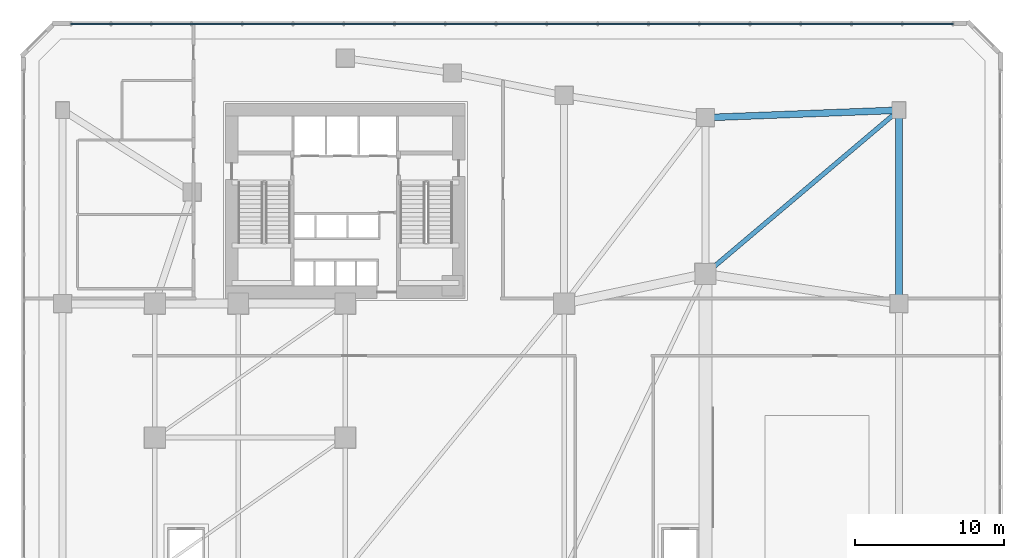
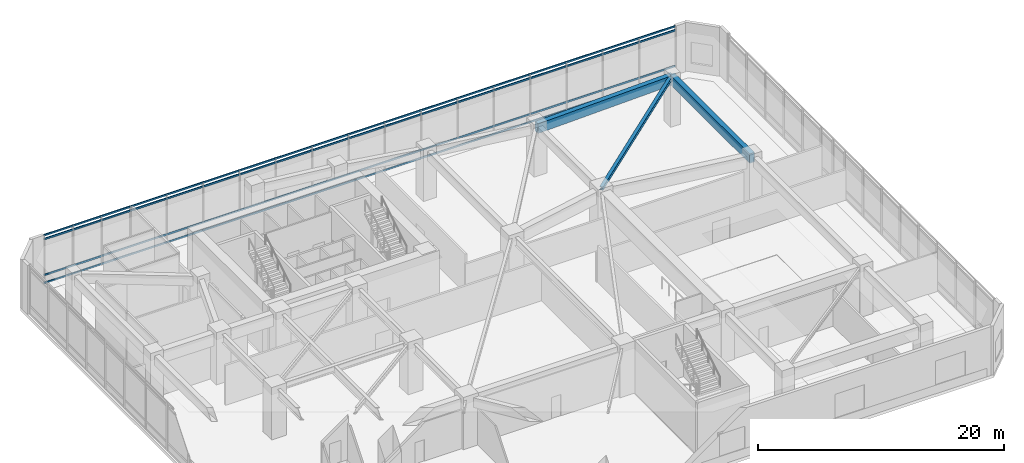
# One storey, part 6 of 15: 4 members, 3 beams, 1 element without a shape of its own.
"""IFC4 building model written with IfcOpenShell, lengths in metres."""

from ifc_helpers import new_model, si_unit, direction, frame, origin, origin_2d, place, context, subcontext, project, spatial, rectangle, i_section, extrude, source, transform, mapped, material, material_profile, profile_set, type_object, element, aggregate, save


model = new_model("IFC4")

# Units and contexts
model_context = context("Model", 3, precision=1e-05, world=origin(), true_north=direction((0.0, 1.0)))
body_context = subcontext(model_context, "Body", "Model", "MODEL_VIEW")
ifc_project = project(units=[si_unit("LENGTHUNIT", "METRE"), si_unit("AREAUNIT", "SQUARE_METRE"), si_unit("VOLUMEUNIT", "CUBIC_METRE"), si_unit("PLANEANGLEUNIT", "RADIAN"), si_unit("MASSUNIT", "GRAM", prefix="KILO")], contexts=[model_context])

# Site, building, storey
site_placement = place(None, origin())
site = spatial("IfcSite", under=ifc_project, at=site_placement, CompositionType="ELEMENT")
building_placement = place(site_placement, origin())
building = spatial("IfcBuilding", under=site, at=building_placement, Name="Calvemar Wedge Station Tower", CompositionType="ELEMENT")
storey_placement = place(building_placement, frame((0.0, 0.0, 16.39990234375)))
storey = spatial("IfcBuildingStorey", under=building, at=storey_placement, Name="L04", CompositionType="ELEMENT", Elevation=16.39990234375)

# Beams
ifc_material_1 = material(Name="Concrete C50", Category="concrete")
ifc_material_profile_1 = material_profile(ifc_material_1, rectangle(XDim=0.449951171875, YDim=0.949951171875, at=origin_2d()), Name="RC450x950")
ifc_profile_set_1 = profile_set([ifc_material_profile_1], Name="Concrete C50")
beam_type_1 = type_object("IfcBeamType", Name="BM-G2-950", PredefinedType="BEAM", material=ifc_profile_set_1)
shared_shape_1 = source(origin(), body_context, "Body", "SweptSolid", [
    extrude(rectangle(XDim=0.449951171875, YDim=0.949951171875, at=origin_2d()), origin(), (0.0, 0.0, 1.0), 13.0),
])
beam_1_placement = place(storey_placement, frame((61.0, 33.0, 4.375), z_axis=(0.0, 1.0, 0.0), x_axis=(-1.0, 0.0, 0.0)))
element("IfcBeam", 1, at=beam_1_placement, inside=storey, type_object=beam_type_1, Name="Storey L04 Primary Girder G37", PredefinedType="BEAM", context=body_context, shape_type="MappedRepresentation", body=[
    mapped(shared_shape_1, transform((0.0, 0.0, 0.0), scale=1.0)),
])
shared_shape_2 = source(origin(), body_context, "Body", "SweptSolid", [
    extrude(rectangle(XDim=0.449951171875, YDim=0.949951171875, at=origin_2d()), origin(), (0.0, 0.0, 1.0), 13.009521484375),
])
beam_2_placement = place(storey_placement, frame((48.0, 45.5, 4.375), z_axis=(0.999261174631, 0.038433122101, 0.0), x_axis=(-0.038433122101, 0.999261174631, 0.0)))
element("IfcBeam", 2, at=beam_2_placement, inside=storey, type_object=beam_type_1, Name="Storey L04 Primary Girder G42", PredefinedType="BEAM", context=body_context, shape_type="MappedRepresentation", body=[
    mapped(shared_shape_2, transform((0.0, 0.0, 0.0), scale=1.0)),
])
ifc_material_2 = material(Name="Structural steel ASTM A572 Grade 50", Category="steel")
ifc_material_profile_2 = material_profile(ifc_material_2, i_section(OverallWidth=0.30908203125, OverallDepth=0.322998046875, WebThickness=0.013916015625, FlangeThickness=0.02294921875, FilletRadius=0.014892578125, at=origin_2d()), Name="W310x143")
ifc_profile_set_2 = profile_set([ifc_material_profile_2], Name="Structural steel ASTM A572 Grade 50")
beam_type_2 = type_object("IfcBeamType", Name="BM-J5-W310H", PredefinedType="JOIST", material=ifc_profile_set_2)
shared_shape_3 = source(origin(), body_context, "Body", "SweptSolid", [
    extrude(i_section(OverallWidth=0.30908203125, OverallDepth=0.322998046875, WebThickness=0.013916015625, FlangeThickness=0.02294921875, FilletRadius=0.014892578125, at=origin_2d()), origin(), (0.0, 0.0, 1.0), 17.029296875),
])
beam_3_placement = place(storey_placement, frame((48.0, 35.0, 4.6884765625), z_axis=(0.763386285369, 0.645942241466, 0.0), x_axis=(-0.645942241466, 0.763386285369, 0.0)))
element("IfcBeam", 3, at=beam_3_placement, inside=storey, type_object=beam_type_2, Name="Storey L04 Concourse Cross Joist 12", PredefinedType="JOIST", context=body_context, shape_type="MappedRepresentation", body=[
    mapped(shared_shape_3, transform((0.0, 0.0, 0.0), scale=1.0)),
])

# Curtain wall, members
ifc_material_3 = material(Name="Anodised aluminium 6063-T6", Category="aluminium")
curtain_wall_type = type_object("IfcCurtainWallType", Name="CW5", PredefinedType="NOTDEFINED", material=ifc_material_3)
curtain_wall_placement = place(storey_placement, origin())
curtain_wall = element("IfcCurtainWall", 4, at=curtain_wall_placement, inside=storey, type_object=curtain_wall_type, Name="Storey L04 CW5 Recessed Unitised Curtain Wall 4", PredefinedType="NOTDEFINED")
ifc_material_profile_3 = material_profile(ifc_material_3, rectangle(XDim=0.0849609375, YDim=0.169921875, at=origin_2d()), Name="AL-TRN-85x170")
ifc_profile_set_3 = profile_set([ifc_material_profile_3], Name="Anodised aluminium 6063-T6")
member_type = type_object("IfcMemberType", Name="CW5-TRN", PredefinedType="USERDEFINED", material=ifc_profile_set_3)
shared_shape_4 = source(origin(), body_context, "Body", "SweptSolid", [
    extrude(rectangle(XDim=0.0849609375, YDim=0.169921875, at=origin_2d()), origin(), (0.0, 0.0, 1.0), 59.27587890625),
])
member_1_placement = place(storey_placement, frame((64.637939453125, 51.7900390625, 0.06005859375), z_axis=(-1.0, 0.0, 0.0), x_axis=(0.0, -1.0, 0.0)))
member_1 = element("IfcMember", 5, at=member_1_placement, type_object=member_type, Name="CW5 transom 1", ObjectType="TRANSOM", PredefinedType="USERDEFINED", context=body_context, shape_type="MappedRepresentation", body=[
    mapped(shared_shape_4, transform((0.0, 0.0, 0.0), scale=1.0)),
])
member_2_placement = place(storey_placement, frame((64.637939453125, 51.7900390625, 0.85009765625), z_axis=(-1.0, 0.0, 0.0), x_axis=(0.0, -1.0, 0.0)))
member_2 = element("IfcMember", 6, at=member_2_placement, type_object=member_type, Name="CW5 transom 2", ObjectType="TRANSOM", PredefinedType="USERDEFINED", context=body_context, shape_type="MappedRepresentation", body=[
    mapped(shared_shape_4, transform((0.0, 0.0, 0.0), scale=1.0)),
])
member_3_placement = place(storey_placement, frame((64.637939453125, 51.7900390625, 4.400146484375), z_axis=(-1.0, 0.0, 0.0), x_axis=(0.0, -1.0, 0.0)))
member_3 = element("IfcMember", 7, at=member_3_placement, type_object=member_type, Name="CW5 transom 3", ObjectType="TRANSOM", PredefinedType="USERDEFINED", context=body_context, shape_type="MappedRepresentation", body=[
    mapped(shared_shape_4, transform((0.0, 0.0, 0.0), scale=1.0)),
])
member_4_placement = place(storey_placement, frame((64.637939453125, 51.7900390625, 4.7900390625), z_axis=(-1.0, 0.0, 0.0), x_axis=(0.0, -1.0, 0.0)))
member_4 = element("IfcMember", 8, at=member_4_placement, type_object=member_type, Name="CW5 transom 4", ObjectType="TRANSOM", PredefinedType="USERDEFINED", context=body_context, shape_type="MappedRepresentation", body=[
    mapped(shared_shape_4, transform((0.0, 0.0, 0.0), scale=1.0)),
])
aggregate(curtain_wall, [member_1, member_2, member_3, member_4])

save(model, "model.ifc")
